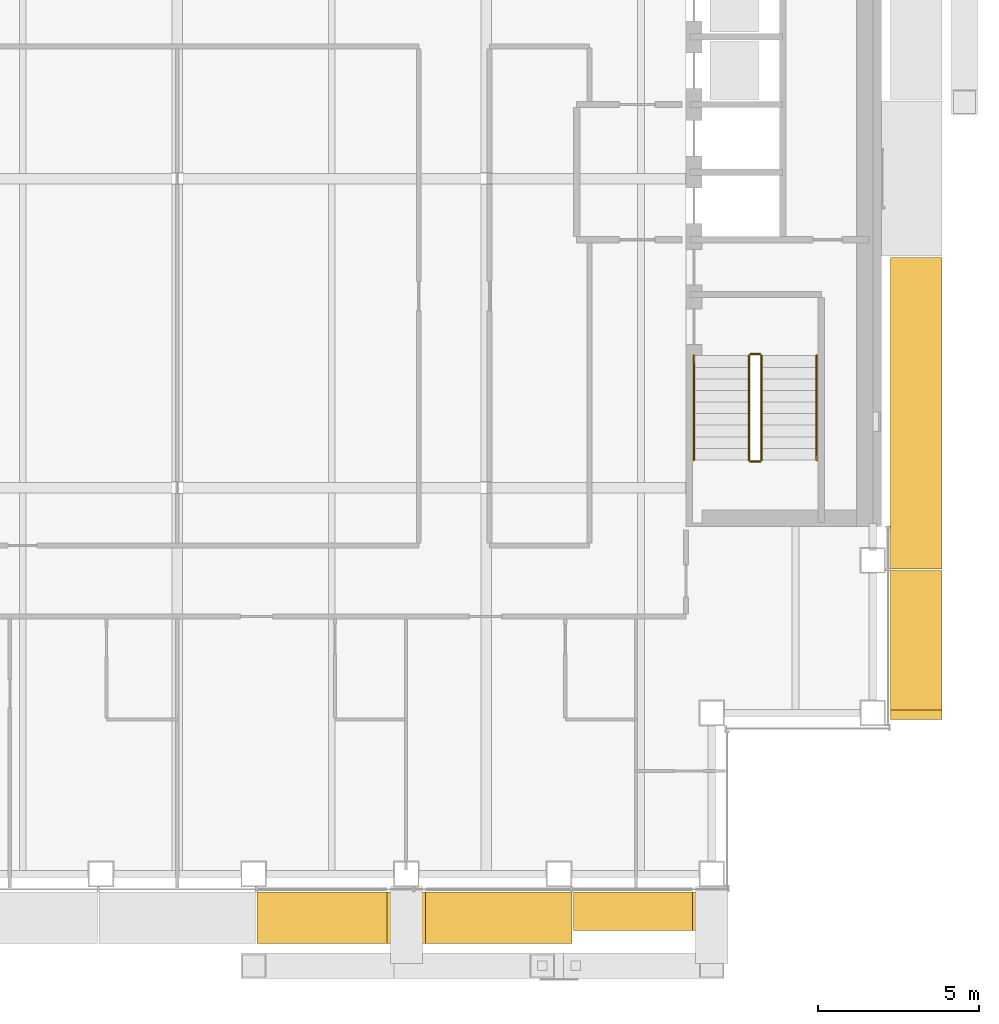
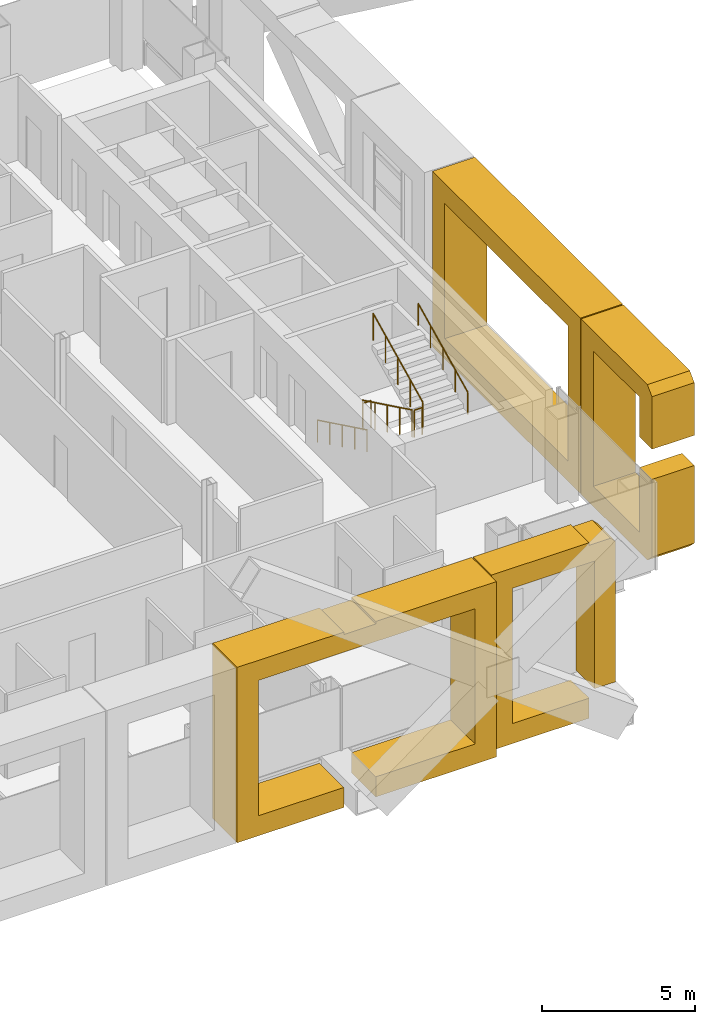
# One storey, part 19 of 22: 6 railings, 4 coverings.
"""IFC4 building model written with IfcOpenShell, lengths in metres."""

from ifc_helpers import new_model, si_unit, direction, frame, origin, origin_2d, place, context, subcontext, project, spatial, polyline, circle, outline, extrude, material, type_object, element, save


model = new_model("IFC4")

# Units and contexts
model_context = context("Model", 3, precision=1e-05, world=origin(), true_north=direction((0.0, 1.0)))
body_context = subcontext(model_context, "Body", "Model", "MODEL_VIEW")
ifc_project = project(units=[si_unit("LENGTHUNIT", "METRE"), si_unit("AREAUNIT", "SQUARE_METRE"), si_unit("VOLUMEUNIT", "CUBIC_METRE"), si_unit("PLANEANGLEUNIT", "RADIAN"), si_unit("MASSUNIT", "GRAM", prefix="KILO")], contexts=[model_context])

# Site, building, storey
site_placement = place(None, origin())
site = spatial("IfcSite", under=ifc_project, at=site_placement, CompositionType="ELEMENT")
building_placement = place(site_placement, origin())
building = spatial("IfcBuilding", under=site, at=building_placement, Name="Cobrizo Arcos Hotel Tower", CompositionType="ELEMENT")
storey_placement = place(building_placement, frame((0.0, 0.0, 176.0)))
storey = spatial("IfcBuildingStorey", under=building, at=storey_placement, Name="L45", CompositionType="ELEMENT", Elevation=176.0)

# Coverings
ifc_material_1 = material(Name="Aluminium 6063-T6 anodised bronze", Category="aluminium")
covering_type_1 = type_object("IfcCoveringType", Name="FIN-F 1200", PredefinedType="CLADDING", material=ifc_material_1)
covering_1_placement = place(storey_placement, frame((12.310791015625, -22.14990234375, 0.0), z_axis=(0.0, -1.0, 0.0), x_axis=(1.0, 0.0, 0.0)))
element("IfcCovering", 1, at=covering_1_placement, inside=storey, type_object=covering_type_1, Name="Fin frame 255", PredefinedType="CLADDING", context=body_context, shape_type="SweptSolid", body=[
    extrude(outline(polyline([(0.0, 0.0), (3.687255859375, 0.0), (3.687255859375, 0.800048828125), (0.800048828125, 0.800048828125), (0.800048828125, 6.199951171875), (3.889404296875, 6.199951171875), (3.889404296875, 1.10205078125), (4.689208984375, 1.10205078125), (4.689208984375, 6.699951171875), (4.4912109375, 6.89794921875), (3.687255859375, 6.89794921875), (3.687255859375, 7.0), (0.0, 7.0), (0.0, 0.0)])), origin(), (0.0, 0.0, 1.0), 1.2001953125),
])
covering_type_2 = type_object("IfcCoveringType", Name="FIN-F 1600", PredefinedType="CLADDING", material=ifc_material_1)
covering_2_placement = place(storey_placement, frame((22.14990234375, -16.800048828125, 0.0), z_axis=(1.0, 0.0, 0.0), x_axis=(0.0, 1.0, 0.0)))
element("IfcCovering", 2, at=covering_2_placement, inside=storey, type_object=covering_type_2, Name="Fin frame 221", PredefinedType="CLADDING", context=body_context, shape_type="SweptSolid", body=[
    extrude(outline(polyline([(0.0, 6.699951171875), (0.0, 4.60205078125), (0.800048828125, 4.60205078125), (0.800048828125, 6.199951171875), (3.83203125, 6.199951171875), (3.83203125, 0.800048828125), (0.800048828125, 0.800048828125), (0.800048828125, 3.39794921875), (0.0, 3.39794921875), (0.0, 0.300048828125), (0.300048828125, 0.0), (4.632080078125, 0.0), (4.632080078125, 7.0), (0.300048828125, 7.0), (0.0, 6.699951171875)])), origin(), (0.0, 0.0, 1.0), 1.60009765625),
])
covering_3_placement = place(storey_placement, frame((22.14990234375, -12.117919921875, 0.0), z_axis=(1.0, 0.0, 0.0), x_axis=(0.0, 1.0, 0.0)))
element("IfcCovering", 3, at=covering_3_placement, inside=storey, type_object=covering_type_2, Name="Fin frame 222", PredefinedType="CLADDING", context=body_context, shape_type="SweptSolid", body=[
    extrude(outline(polyline([(0.0, 7.0), (0.0, 0.0), (9.664306640625, 0.0), (9.664306640625, 7.0), (0.0, 7.0)]), holes=[polyline([(8.8642578125, 0.800048828125), (0.800048828125, 0.800048828125), (0.800048828125, 6.199951171875), (8.8642578125, 6.199951171875), (8.8642578125, 0.800048828125)])]), origin(), (0.0, 0.0, 1.0), 1.60009765625),
])
covering_4_placement = place(storey_placement, frame((2.482177734375, -22.14990234375, 0.0), z_axis=(0.0, -1.0, 0.0), x_axis=(1.0, 0.0, 0.0)))
element("IfcCovering", 4, at=covering_4_placement, inside=storey, type_object=covering_type_2, Name="Fin frame 254", PredefinedType="CLADDING", context=body_context, shape_type="SweptSolid", body=[
    extrude(outline(polyline([(0.0, 0.0), (4.0302734375, 0.0), (4.0302734375, 0.800048828125), (0.800048828125, 0.800048828125), (0.800048828125, 6.199951171875), (8.978515625, 6.199951171875), (8.978515625, 0.800048828125), (5.234130859375, 0.800048828125), (5.234130859375, 0.0), (9.778564453125, 0.0), (9.778564453125, 7.0), (5.234130859375, 7.0), (5.234130859375, 6.89794921875), (4.0302734375, 6.89794921875), (4.0302734375, 7.0), (0.0, 7.0), (0.0, 0.0)])), origin(), (0.0, 0.0, 1.0), 1.60009765625),
])

# Railings
ifc_material_2 = material(Name="Stainless steel railing", Category="steel")
railing_type_1 = type_object("IfcRailingType", Name="Stair guard 1100", PredefinedType="GUARDRAIL", material=ifc_material_2)
railing_1_placement = place(storey_placement, frame((17.75, -5.5, 0.175048828125)))
element("IfcRailing", 5, at=railing_1_placement, inside=storey, type_object=railing_type_1, Name="L45 ST-E stair guard 1", PredefinedType="GUARDRAIL", context=body_context, shape_type="SweptSolid", body=[
    extrude(circle(Radius=0.02392578125, at=origin_2d()), frame((0.0, 0.0, 1.076171875), z_axis=(0.0, -0.899372665325, 0.437182809435), x_axis=(1.0, 0.0, 0.0)), (0.0, 0.0, 1.0), 3.6025390625),
    extrude(circle(Radius=0.02099609375, at=origin_2d()), origin(), (0.0, 0.0, 1.0), 1.052001953125),
    extrude(circle(Radius=0.02099609375, at=origin_2d()), frame((0.0, -0.81005859375, 0.393798828125)), (0.0, 0.0, 1.0), 1.052001953125),
    extrude(circle(Radius=0.02099609375, at=origin_2d()), frame((0.0, -1.6201171875, 0.78759765625)), (0.0, 0.0, 1.0), 1.052001953125),
    extrude(circle(Radius=0.02099609375, at=origin_2d()), frame((0.0, -2.429931640625, 1.18115234375)), (0.0, 0.0, 1.0), 1.052001953125),
    extrude(circle(Radius=0.02099609375, at=origin_2d()), frame((0.0, -3.239990234375, 1.574951171875)), (0.0, 0.0, 1.0), 1.052001953125),
])
railing_2_placement = place(storey_placement, frame((17.800048828125, -8.7900390625, 1.75)))
element("IfcRailing", 6, at=railing_2_placement, inside=storey, type_object=railing_type_1, Name="L45 ST-E stair guard 2", PredefinedType="GUARDRAIL", context=body_context, shape_type="SweptSolid", body=[
    extrude(circle(Radius=0.02392578125, at=origin_2d()), frame((0.0, 0.0, 1.076171875), z_axis=(1.0, 0.0, 0.0), x_axis=(0.0, 1.0, 0.0)), (0.0, 0.0, 1.0), 0.300048828125),
    extrude(circle(Radius=0.02099609375, at=origin_2d()), origin(), (0.0, 0.0, 1.0), 1.052001953125),
    extrude(circle(Radius=0.02099609375, at=origin_2d()), frame((0.300048828125, 0.0, 0.0)), (0.0, 0.0, 1.0), 1.052001953125),
])
railing_3_placement = place(storey_placement, frame((18.14990234375, -8.739990234375, 1.925048828125)))
element("IfcRailing", 7, at=railing_3_placement, inside=storey, type_object=railing_type_1, Name="L45 ST-E stair guard 3", PredefinedType="GUARDRAIL", context=body_context, shape_type="SweptSolid", body=[
    extrude(circle(Radius=0.02392578125, at=origin_2d()), frame((0.0, 0.0, 1.076171875), z_axis=(0.0, 0.899372665325, 0.437182809435), x_axis=(-1.0, 0.0, 0.0)), (0.0, 0.0, 1.0), 3.6025390625),
    extrude(circle(Radius=0.02099609375, at=origin_2d()), origin(), (0.0, 0.0, 1.0), 1.052001953125),
    extrude(circle(Radius=0.02099609375, at=origin_2d()), frame((0.0, 0.81005859375, 0.393798828125)), (0.0, 0.0, 1.0), 1.052001953125),
    extrude(circle(Radius=0.02099609375, at=origin_2d()), frame((0.0, 1.6201171875, 0.78759765625)), (0.0, 0.0, 1.0), 1.052001953125),
    extrude(circle(Radius=0.02099609375, at=origin_2d()), frame((0.0, 2.429931640625, 1.18115234375)), (0.0, 0.0, 1.0), 1.052001953125),
    extrude(circle(Radius=0.02099609375, at=origin_2d()), frame((0.0, 3.239990234375, 1.574951171875)), (0.0, 0.0, 1.0), 1.052001953125),
])
railing_4_placement = place(storey_placement, frame((17.800048828125, -5.449951171875, 0.0)))
element("IfcRailing", 8, at=railing_4_placement, inside=storey, type_object=railing_type_1, Name="L45 ST-E stair guard 4", PredefinedType="GUARDRAIL", context=body_context, shape_type="SweptSolid", body=[
    extrude(circle(Radius=0.02392578125, at=origin_2d()), frame((0.0, 0.0, 1.076171875), z_axis=(1.0, 0.0, 0.0), x_axis=(0.0, 1.0, 0.0)), (0.0, 0.0, 1.0), 0.300048828125),
    extrude(circle(Radius=0.02099609375, at=origin_2d()), origin(), (0.0, 0.0, 1.0), 1.052001953125),
    extrude(circle(Radius=0.02099609375, at=origin_2d()), frame((0.300048828125, 0.0, 0.0)), (0.0, 0.0, 1.0), 1.052001953125),
])
railing_type_2 = type_object("IfcRailingType", Name="Stair handrail", PredefinedType="HANDRAIL", material=ifc_material_2)
railing_5_placement = place(storey_placement, frame((16.050048828125, -5.5, 0.175048828125)))
element("IfcRailing", 9, at=railing_5_placement, inside=storey, type_object=railing_type_2, Name="L45 ST-E stair handrail 1", PredefinedType="HANDRAIL", context=body_context, shape_type="SweptSolid", body=[
    extrude(circle(Radius=0.02392578125, at=origin_2d()), frame((0.0, 0.0, 0.8759765625), z_axis=(0.0, -0.899372665325, 0.437182809435), x_axis=(1.0, 0.0, 0.0)), (0.0, 0.0, 1.0), 3.6025390625),
    extrude(circle(Radius=0.02099609375, at=origin_2d()), origin(), (0.0, 0.0, 1.0), 0.851806640625),
    extrude(circle(Radius=0.02099609375, at=origin_2d()), frame((0.0, -0.81005859375, 0.393798828125)), (0.0, 0.0, 1.0), 0.851806640625),
    extrude(circle(Radius=0.02099609375, at=origin_2d()), frame((0.0, -1.6201171875, 0.78759765625)), (0.0, 0.0, 1.0), 0.851806640625),
    extrude(circle(Radius=0.02099609375, at=origin_2d()), frame((0.0, -2.429931640625, 1.18115234375)), (0.0, 0.0, 1.0), 0.851806640625),
    extrude(circle(Radius=0.02099609375, at=origin_2d()), frame((0.0, -3.239990234375, 1.574951171875)), (0.0, 0.0, 1.0), 0.851806640625),
])
railing_6_placement = place(storey_placement, frame((19.85009765625, -8.739990234375, 1.925048828125)))
element("IfcRailing", 10, at=railing_6_placement, inside=storey, type_object=railing_type_2, Name="L45 ST-E stair handrail 2", PredefinedType="HANDRAIL", context=body_context, shape_type="SweptSolid", body=[
    extrude(circle(Radius=0.02392578125, at=origin_2d()), frame((0.0, 0.0, 0.8759765625), z_axis=(0.0, 0.899372665325, 0.437182809435), x_axis=(-1.0, 0.0, 0.0)), (0.0, 0.0, 1.0), 3.6025390625),
    extrude(circle(Radius=0.02099609375, at=origin_2d()), origin(), (0.0, 0.0, 1.0), 0.851806640625),
    extrude(circle(Radius=0.02099609375, at=origin_2d()), frame((0.0, 0.81005859375, 0.393798828125)), (0.0, 0.0, 1.0), 0.851806640625),
    extrude(circle(Radius=0.02099609375, at=origin_2d()), frame((0.0, 1.6201171875, 0.78759765625)), (0.0, 0.0, 1.0), 0.851806640625),
    extrude(circle(Radius=0.02099609375, at=origin_2d()), frame((0.0, 2.429931640625, 1.18115234375)), (0.0, 0.0, 1.0), 0.851806640625),
    extrude(circle(Radius=0.02099609375, at=origin_2d()), frame((0.0, 3.239990234375, 1.574951171875)), (0.0, 0.0, 1.0), 0.851806640625),
])

save(model, "model.ifc")
